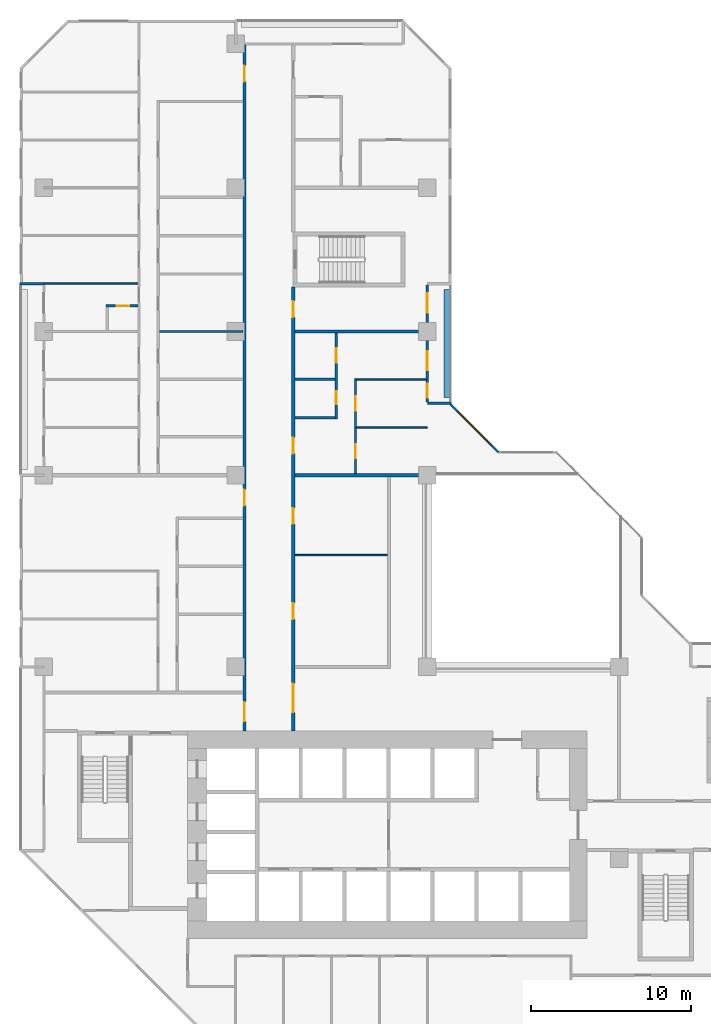
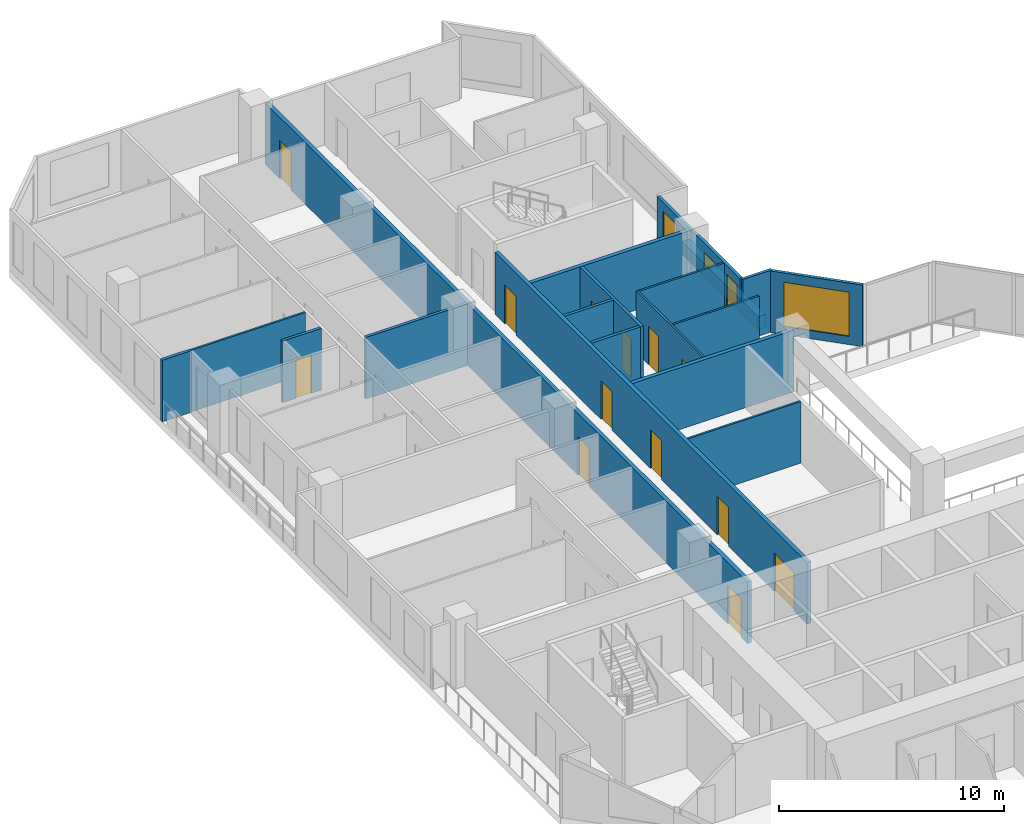
# One storey, part 9 of 15: 19 walls, 13 doors, 4 windows, 17 openings.
"""IFC4 building model written with IfcOpenShell, lengths in metres."""

from ifc_helpers import new_model, si_unit, direction, frame, frame_2d, origin, place, context, subcontext, project, spatial, rectangle, extrude, material, layer, layer_set, type_object, element, fill, save


model = new_model("IFC4")

# Units and contexts
model_context = context("Model", 3, precision=1e-05, world=origin(), true_north=direction((0.0, 1.0)))
body_context = subcontext(model_context, "Body", "Model", "MODEL_VIEW")
ifc_project = project(units=[si_unit("LENGTHUNIT", "METRE"), si_unit("AREAUNIT", "SQUARE_METRE"), si_unit("VOLUMEUNIT", "CUBIC_METRE"), si_unit("PLANEANGLEUNIT", "RADIAN"), si_unit("MASSUNIT", "GRAM", prefix="KILO")], contexts=[model_context])

# Site, building, storey
site_placement = place(None, origin())
site = spatial("IfcSite", under=ifc_project, at=site_placement, CompositionType="ELEMENT")
building_placement = place(site_placement, origin())
building = spatial("IfcBuilding", under=site, at=building_placement, Name="Chenar Terraces", CompositionType="ELEMENT")
storey_placement = place(building_placement, frame((0.0, 0.0, 60.14990234375)))
storey = spatial("IfcBuildingStorey", under=building, at=storey_placement, Name="L12", CompositionType="ELEMENT", Elevation=60.14990234375)

# Wall, openings, doors
ifc_material_1 = material(Name="Gypsum board on steel studs with fire boards", Category="steel")
ifc_layer_1 = layer(ifc_material_1, 0.199951171875)
ifc_layer_set_1 = layer_set([ifc_layer_1], Name="Gypsum board on steel studs with fire boards")
wall_type_1 = type_object("IfcWallType", Name="Corridor wall 200", PredefinedType="PARTITIONING", material=ifc_layer_set_1)
wall_1_placement = place(storey_placement, frame((12.550048828125, 20.0, 0.0), z_axis=(0.0, 0.0, 1.0), x_axis=(0.0, 1.0, 0.0)))
wall_1 = element("IfcWall", 1, at=wall_1_placement, inside=storey, type_object=wall_type_1, Name="Partition L12-035", PredefinedType="PARTITIONING", context=body_context, shape_type="SweptSolid", body=[
    extrude(rectangle(XDim=42.926025390625, YDim=0.199951171875, at=frame_2d((21.462890625, 0.0))), origin(), (0.0, 0.0, 1.0), 3.35009765625),
])
opening_1_placement = place(wall_1_placement, frame((40.64990234375, 0.0, 0.0)))
opening_1 = element("IfcOpeningElement", 2, at=opening_1_placement, cuts=wall_1, Name="Opening DL12-38", PredefinedType="OPENING", context=body_context, shape_type="SweptSolid", body=[
    extrude(rectangle(XDim=1.0, YDim=2.10009765625, at=frame_2d((0.5, 1.050048828125))), frame((0.0, 0.10986328125, 0.0), z_axis=(0.0, -1.0, 0.0), x_axis=(1.0, 0.0, 0.0)), (0.0, 0.0, 1.0), 0.219970703125),
])
opening_2_placement = place(wall_1_placement, frame((0.60009765625, 0.0, 0.0)))
opening_2 = element("IfcOpeningElement", 3, at=opening_2_placement, cuts=wall_1, Name="Opening DL12-52", PredefinedType="OPENING", context=body_context, shape_type="SweptSolid", body=[
    extrude(rectangle(XDim=1.199951171875, YDim=2.10009765625, at=frame_2d((0.60009765625, 1.050048828125))), frame((0.0, 0.10986328125, 0.0), z_axis=(0.0, -1.0, 0.0), x_axis=(1.0, 0.0, 0.0)), (0.0, 0.0, 1.0), 0.219970703125),
])
opening_3_placement = place(wall_1_placement, frame((14.10009765625, 0.0, 0.0)))
opening_3 = element("IfcOpeningElement", 4, at=opening_3_placement, cuts=wall_1, Name="Opening DL12-73", PredefinedType="OPENING", context=body_context, shape_type="SweptSolid", body=[
    extrude(rectangle(XDim=1.0, YDim=2.10009765625, at=frame_2d((0.5, 1.050048828125))), frame((0.0, 0.10986328125, 0.0), z_axis=(0.0, -1.0, 0.0), x_axis=(1.0, 0.0, 0.0)), (0.0, 0.0, 1.0), 0.219970703125),
])
ifc_material_2 = material(Name="Steel-framed fire-resisting door leaf", Category="steel")
door_type_1 = type_object("IfcDoorType", Name="Fire door FD30S 1000 x 2100", OperationType="SINGLE_SWING_LEFT", PredefinedType="DOOR", material=ifc_material_2)
door_1_placement = place(opening_1_placement, origin())
door_1 = element("IfcDoor", 5, at=door_1_placement, inside=storey, type_object=door_type_1, Name="Door DL12-38", OperationType="SINGLE_SWING_RIGHT", OverallHeight=2.10009765625, OverallWidth=1.0, PredefinedType="DOOR", context=body_context, shape_type="SweptSolid", body=[
    extrude(rectangle(XDim=1.0, YDim=2.10009765625, at=frame_2d((0.5, 1.050048828125))), frame((0.0, 0.02490234375, 0.0), z_axis=(0.0, -1.0, 0.0), x_axis=(1.0, 0.0, 0.0)), (0.0, 0.0, 1.0), 0.050048828125),
])
fill(opening_1, door_1)
door_2_placement = place(opening_3_placement, origin())
door_2 = element("IfcDoor", 6, at=door_2_placement, inside=storey, type_object=door_type_1, Name="Door DL12-73", OperationType="SINGLE_SWING_RIGHT", OverallHeight=2.10009765625, OverallWidth=1.0, PredefinedType="DOOR", context=body_context, shape_type="SweptSolid", body=[
    extrude(rectangle(XDim=1.0, YDim=2.10009765625, at=frame_2d((0.5, 1.050048828125))), frame((0.0, 0.02490234375, 0.0), z_axis=(0.0, -1.0, 0.0), x_axis=(1.0, 0.0, 0.0)), (0.0, 0.0, 1.0), 0.050048828125),
])
fill(opening_3, door_2)
ifc_material_3 = material(Name="Steel-framed fire-resisting door leaf", Category="steel")
door_type_2 = type_object("IfcDoorType", Name="Fire door FD30S 1200 x 2100", OperationType="SINGLE_SWING_LEFT", PredefinedType="DOOR", material=ifc_material_3)
door_3_placement = place(opening_2_placement, origin())
door_3 = element("IfcDoor", 7, at=door_3_placement, inside=storey, type_object=door_type_2, Name="Door DL12-52", OperationType="SINGLE_SWING_RIGHT", OverallHeight=2.10009765625, OverallWidth=1.199951171875, PredefinedType="DOOR", context=body_context, shape_type="SweptSolid", body=[
    extrude(rectangle(XDim=1.199951171875, YDim=2.10009765625, at=frame_2d((0.60009765625, 1.050048828125))), frame((0.0, 0.02490234375, 0.0), z_axis=(0.0, -1.0, 0.0), x_axis=(1.0, 0.0, 0.0)), (0.0, 0.0, 1.0), 0.050048828125),
])
fill(opening_2, door_3)

wall_2_placement = place(storey_placement, frame((15.60009765625, 20.0, 0.0), z_axis=(0.0, 0.0, 1.0), x_axis=(0.0, 1.0, 0.0)))
wall_2 = element("IfcWall", 8, at=wall_2_placement, inside=storey, type_object=wall_type_1, Name="Partition L12-037", PredefinedType="PARTITIONING", context=body_context, shape_type="SweptSolid", body=[
    extrude(rectangle(XDim=27.77490234375, YDim=0.199951171875, at=frame_2d((13.887451171875, 0.0))), origin(), (0.0, 0.0, 1.0), 3.35009765625),
])
opening_4_placement = place(wall_2_placement, frame((7.0, 0.0, 0.0)))
opening_4 = element("IfcOpeningElement", 9, at=opening_4_placement, cuts=wall_2, Name="Opening DL12-1", PredefinedType="OPENING", context=body_context, shape_type="SweptSolid", body=[
    extrude(rectangle(XDim=1.0, YDim=2.10009765625, at=frame_2d((0.5, 1.050048828125))), frame((0.0, 0.10986328125, 0.0), z_axis=(0.0, -1.0, 0.0), x_axis=(1.0, 0.0, 0.0)), (0.0, 0.0, 1.0), 0.219970703125),
])
opening_5_placement = place(wall_2_placement, frame((12.949951171875, 0.0, 0.0)))
opening_5 = element("IfcOpeningElement", 10, at=opening_5_placement, cuts=wall_2, Name="Opening DL12-2", PredefinedType="OPENING", context=body_context, shape_type="SweptSolid", body=[
    extrude(rectangle(XDim=1.0, YDim=2.10009765625, at=frame_2d((0.5, 1.050048828125))), frame((0.0, 0.10986328125, 0.0), z_axis=(0.0, -1.0, 0.0), x_axis=(1.0, 0.0, 0.0)), (0.0, 0.0, 1.0), 0.219970703125),
])
opening_6_placement = place(wall_2_placement, frame((17.35009765625, 0.0, 0.0)))
opening_6 = element("IfcOpeningElement", 11, at=opening_6_placement, cuts=wall_2, Name="Opening DL12-27", PredefinedType="OPENING", context=body_context, shape_type="SweptSolid", body=[
    extrude(rectangle(XDim=1.0, YDim=2.10009765625, at=frame_2d((0.5, 1.050048828125))), frame((0.0, 0.10986328125, 0.0), z_axis=(0.0, -1.0, 0.0), x_axis=(1.0, 0.0, 0.0)), (0.0, 0.0, 1.0), 0.219970703125),
])
opening_7_placement = place(wall_2_placement, frame((1.14990234375, 0.0, 0.0)))
opening_7 = element("IfcOpeningElement", 12, at=opening_7_placement, cuts=wall_2, Name="Opening DL12-51", PredefinedType="OPENING", context=body_context, shape_type="SweptSolid", body=[
    extrude(rectangle(XDim=1.800048828125, YDim=2.10009765625, at=frame_2d((0.89990234375, 1.050048828125))), frame((0.0, 0.10986328125, 0.0), z_axis=(0.0, -1.0, 0.0), x_axis=(1.0, 0.0, 0.0)), (0.0, 0.0, 1.0), 0.219970703125),
])
opening_8_placement = place(wall_2_placement, frame((25.89990234375, 0.0, 0.0)))
opening_8 = element("IfcOpeningElement", 13, at=opening_8_placement, cuts=wall_2, Name="Opening DL12-54", PredefinedType="OPENING", context=body_context, shape_type="SweptSolid", body=[
    extrude(rectangle(XDim=1.0, YDim=2.10009765625, at=frame_2d((0.5, 1.050048828125))), frame((0.0, 0.10986328125, 0.0), z_axis=(0.0, -1.0, 0.0), x_axis=(1.0, 0.0, 0.0)), (0.0, 0.0, 1.0), 0.219970703125),
])
ifc_material_4 = material(Name="Steel-framed fire-resisting door leaf", Category="steel")
door_type_3 = type_object("IfcDoorType", Name="Fire door FD60 1000 x 2100", OperationType="SINGLE_SWING_LEFT", PredefinedType="DOOR", material=ifc_material_4)
door_4_placement = place(opening_4_placement, frame((1.0, 0.0, 0.0), z_axis=(0.0, 0.0, 1.0), x_axis=(-1.0, 0.0, 0.0)))
door_4 = element("IfcDoor", 14, at=door_4_placement, inside=storey, type_object=door_type_3, Name="Door DL12-1", OperationType="SINGLE_SWING_LEFT", OverallHeight=2.10009765625, OverallWidth=1.0, PredefinedType="DOOR", context=body_context, shape_type="SweptSolid", body=[
    extrude(rectangle(XDim=1.0, YDim=2.10009765625, at=frame_2d((0.5, 1.050048828125))), frame((0.0, 0.02490234375, 0.0), z_axis=(0.0, -1.0, 0.0), x_axis=(1.0, 0.0, 0.0)), (0.0, 0.0, 1.0), 0.050048828125),
])
fill(opening_4, door_4)
door_5_placement = place(opening_5_placement, frame((1.0, 0.0, 0.0), z_axis=(0.0, 0.0, 1.0), x_axis=(-1.0, 0.0, 0.0)))
door_5 = element("IfcDoor", 15, at=door_5_placement, inside=storey, type_object=door_type_3, Name="Door DL12-2", OperationType="SINGLE_SWING_LEFT", OverallHeight=2.10009765625, OverallWidth=1.0, PredefinedType="DOOR", context=body_context, shape_type="SweptSolid", body=[
    extrude(rectangle(XDim=1.0, YDim=2.10009765625, at=frame_2d((0.5, 1.050048828125))), frame((0.0, 0.02490234375, 0.0), z_axis=(0.0, -1.0, 0.0), x_axis=(1.0, 0.0, 0.0)), (0.0, 0.0, 1.0), 0.050048828125),
])
fill(opening_5, door_5)
door_6_placement = place(opening_6_placement, frame((1.0, 0.0, 0.0), z_axis=(0.0, 0.0, 1.0), x_axis=(-1.0, 0.0, 0.0)))
door_6 = element("IfcDoor", 16, at=door_6_placement, inside=storey, type_object=door_type_3, Name="Door DL12-27", OperationType="SINGLE_SWING_LEFT", OverallHeight=2.10009765625, OverallWidth=1.0, PredefinedType="DOOR", context=body_context, shape_type="SweptSolid", body=[
    extrude(rectangle(XDim=1.0, YDim=2.10009765625, at=frame_2d((0.5, 1.050048828125))), frame((0.0, 0.02490234375, 0.0), z_axis=(0.0, -1.0, 0.0), x_axis=(1.0, 0.0, 0.0)), (0.0, 0.0, 1.0), 0.050048828125),
])
fill(opening_6, door_6)
door_7_placement = place(opening_8_placement, frame((1.0, 0.0, 0.0), z_axis=(0.0, 0.0, 1.0), x_axis=(-1.0, 0.0, 0.0)))
door_7 = element("IfcDoor", 17, at=door_7_placement, inside=storey, type_object=door_type_3, Name="Door DL12-54", OperationType="SINGLE_SWING_RIGHT", OverallHeight=2.10009765625, OverallWidth=1.0, PredefinedType="DOOR", context=body_context, shape_type="SweptSolid", body=[
    extrude(rectangle(XDim=1.0, YDim=2.10009765625, at=frame_2d((0.5, 1.050048828125))), frame((0.0, 0.02490234375, 0.0), z_axis=(0.0, -1.0, 0.0), x_axis=(1.0, 0.0, 0.0)), (0.0, 0.0, 1.0), 0.050048828125),
])
fill(opening_8, door_7)
ifc_material_5 = material(Name="Steel-framed fire-resisting door leaf", Category="steel")
door_type_4 = type_object("IfcDoorType", Name="Fire double door FD60 1800 x 2100", OperationType="DOUBLE_DOOR_SINGLE_SWING", PredefinedType="DOOR", material=ifc_material_5)
door_8_placement = place(opening_7_placement, frame((1.800048828125, 0.0, 0.0), z_axis=(0.0, 0.0, 1.0), x_axis=(-1.0, 0.0, 0.0)))
door_8 = element("IfcDoor", 18, at=door_8_placement, inside=storey, type_object=door_type_4, Name="Door DL12-51", OperationType="DOUBLE_DOOR_SINGLE_SWING", OverallHeight=2.10009765625, OverallWidth=1.800048828125, PredefinedType="DOOR", context=body_context, shape_type="SweptSolid", body=[
    extrude(rectangle(XDim=1.800048828125, YDim=2.10009765625, at=frame_2d((0.89990234375, 1.050048828125))), frame((0.0, 0.02490234375, 0.0), z_axis=(0.0, -1.0, 0.0), x_axis=(1.0, 0.0, 0.0)), (0.0, 0.0, 1.0), 0.050048828125),
])
fill(opening_7, door_8)

# Wall, openings, windows
ifc_material_6 = material(Name="Aluminium framed glazing", Category="aluminium")
ifc_layer_2 = layer(ifc_material_6, 0.14990234375)
ifc_layer_set_2 = layer_set([ifc_layer_2], Name="Aluminium framed glazing")
wall_type_2 = type_object("IfcWallType", Name="Glazed loggia back wall 150", PredefinedType="SOLIDWALL", material=ifc_layer_set_2)
wall_3_placement = place(storey_placement, frame((24.0, 40.574951171875, 0.0), z_axis=(0.0, 0.0, 1.0), x_axis=(0.0, 1.0, 0.0)))
wall_3 = element("IfcWall", 19, at=wall_3_placement, inside=storey, type_object=wall_type_2, Name="Glazed loggia back wall", PredefinedType="SOLIDWALL", context=body_context, shape_type="SweptSolid", body=[
    extrude(rectangle(XDim=7.35009765625, YDim=0.14990234375, at=frame_2d((3.675048828125, 0.0))), origin(), (0.0, 0.0, 1.0), 3.35009765625),
])
opening_9_placement = place(wall_3_placement, frame((0.262451171875, 0.0, 0.449951171875)))
opening_9 = element("IfcOpeningElement", 20, at=opening_9_placement, cuts=wall_3, Name="Opening W90x240", PredefinedType="OPENING", context=body_context, shape_type="SweptSolid", body=[
    extrude(rectangle(XDim=0.89990234375, YDim=2.39990234375, at=frame_2d((0.449951171875, 1.199951171875))), frame((0.0, 0.0849609375, 0.0), z_axis=(0.0, -1.0, 0.0), x_axis=(1.0, 0.0, 0.0)), (0.0, 0.0, 1.0), 0.169921875),
])
opening_10_placement = place(wall_3_placement, frame((2.0, 0.0, 0.449951171875)))
opening_10 = element("IfcOpeningElement", 21, at=opening_10_placement, cuts=wall_3, Name="Opening W120x240", PredefinedType="OPENING", context=body_context, shape_type="SweptSolid", body=[
    extrude(rectangle(XDim=1.199951171875, YDim=2.39990234375, at=frame_2d((0.60009765625, 1.199951171875))), frame((0.0, 0.0849609375, 0.0), z_axis=(0.0, -1.0, 0.0), x_axis=(1.0, 0.0, 0.0)), (0.0, 0.0, 1.0), 0.169921875),
])
opening_11_placement = place(wall_3_placement, frame((5.612548828125, 0.0, 0.449951171875)))
opening_11 = element("IfcOpeningElement", 22, at=opening_11_placement, cuts=wall_3, Name="Opening W120x240", PredefinedType="OPENING", context=body_context, shape_type="SweptSolid", body=[
    extrude(rectangle(XDim=1.199951171875, YDim=2.39990234375, at=frame_2d((0.60009765625, 1.199951171875))), frame((0.0, 0.0849609375, 0.0), z_axis=(0.0, -1.0, 0.0), x_axis=(1.0, 0.0, 0.0)), (0.0, 0.0, 1.0), 0.169921875),
])
ifc_material_7 = material(Name="Low emissivity double glazing, aluminium frame", Category="aluminium")
window_type_1 = type_object("IfcWindowType", Name="Fixed light 1200 x 2400", PartitioningType="SINGLE_PANEL", PredefinedType="WINDOW", material=ifc_material_7)
window_1_placement = place(opening_10_placement, origin())
window_1 = element("IfcWindow", 23, at=window_1_placement, inside=storey, type_object=window_type_1, Name="Window", OverallHeight=2.39990234375, OverallWidth=1.199951171875, PartitioningType="SINGLE_PANEL", PredefinedType="WINDOW", context=body_context, shape_type="SweptSolid", body=[
    extrude(rectangle(XDim=1.199951171875, YDim=2.39990234375, at=frame_2d((0.60009765625, 1.199951171875))), frame((0.0, 0.030029296875, 0.0), z_axis=(0.0, -1.0, 0.0), x_axis=(1.0, 0.0, 0.0)), (0.0, 0.0, 1.0), 0.06005859375),
])
fill(opening_10, window_1)
window_2_placement = place(opening_11_placement, origin())
window_2 = element("IfcWindow", 24, at=window_2_placement, inside=storey, type_object=window_type_1, Name="Window", OverallHeight=2.39990234375, OverallWidth=1.199951171875, PartitioningType="SINGLE_PANEL", PredefinedType="WINDOW", context=body_context, shape_type="SweptSolid", body=[
    extrude(rectangle(XDim=1.199951171875, YDim=2.39990234375, at=frame_2d((0.60009765625, 1.199951171875))), frame((0.0, 0.030029296875, 0.0), z_axis=(0.0, -1.0, 0.0), x_axis=(1.0, 0.0, 0.0)), (0.0, 0.0, 1.0), 0.06005859375),
])
fill(opening_11, window_2)
ifc_material_8 = material(Name="Low emissivity double glazing, aluminium frame", Category="aluminium")
window_type_2 = type_object("IfcWindowType", Name="Fixed light 900 x 2400", PartitioningType="SINGLE_PANEL", PredefinedType="WINDOW", material=ifc_material_8)
window_3_placement = place(opening_9_placement, origin())
window_3 = element("IfcWindow", 25, at=window_3_placement, inside=storey, type_object=window_type_2, Name="Window", OverallHeight=2.39990234375, OverallWidth=0.89990234375, PartitioningType="SINGLE_PANEL", PredefinedType="WINDOW", context=body_context, shape_type="SweptSolid", body=[
    extrude(rectangle(XDim=0.89990234375, YDim=2.39990234375, at=frame_2d((0.449951171875, 1.199951171875))), frame((0.0, 0.030029296875, 0.0), z_axis=(0.0, -1.0, 0.0), x_axis=(1.0, 0.0, 0.0)), (0.0, 0.0, 1.0), 0.06005859375),
])
fill(opening_9, window_3)

# Walls
ifc_material_9 = material(Name="Gypsum board on steel studs", Category="steel")
ifc_layer_3 = layer(ifc_material_9, 0.10009765625)
ifc_layer_set_3 = layer_set([ifc_layer_3], Name="Gypsum board on steel studs")
wall_type_3 = type_object("IfcWallType", Name="Gypsum partition 100", PredefinedType="PARTITIONING", material=ifc_layer_set_3)
wall_4_placement = place(storey_placement, frame((0.0, 48.0, 0.0), z_axis=(0.0, 0.0, 1.0), x_axis=(1.0, 0.0, 0.0)))
element("IfcWall", 26, at=wall_4_placement, inside=storey, type_object=wall_type_3, Name="Partition L12-006", PredefinedType="PARTITIONING", context=body_context, shape_type="SweptSolid", body=[
    extrude(rectangle(XDim=5.875, YDim=0.10009765625, at=frame_2d((2.9375, 0.0))), origin(), (0.0, 0.0, 1.0), 3.35009765625),
])
wall_5_placement = place(storey_placement, frame((15.699951171875, 31.0, 0.0), z_axis=(0.0, 0.0, 1.0), x_axis=(1.0, 0.0, 0.0)))
element("IfcWall", 27, at=wall_5_placement, inside=storey, type_object=wall_type_3, Name="Partition L12-040", PredefinedType="PARTITIONING", context=body_context, shape_type="SweptSolid", body=[
    extrude(rectangle(XDim=5.800048828125, YDim=0.10009765625, at=frame_2d((2.89990234375, 0.0))), origin(), (0.0, 0.0, 1.0), 3.35009765625),
])

# Wall, openings, doors
wall_6_placement = place(storey_placement, frame((19.5, 36.10009765625, 0.0), z_axis=(0.0, 0.0, 1.0), x_axis=(0.0, 1.0, 0.0)))
wall_6 = element("IfcWall", 28, at=wall_6_placement, inside=storey, type_object=wall_type_3, Name="Partition L12-051", PredefinedType="PARTITIONING", context=body_context, shape_type="SweptSolid", body=[
    extrude(rectangle(XDim=5.949951171875, YDim=0.10009765625, at=frame_2d((2.97509765625, 0.0))), origin(), (0.0, 0.0, 1.0), 3.35009765625),
])
opening_12_placement = place(wall_6_placement, frame((0.949951171875, 0.0, 0.0)))
opening_12 = element("IfcOpeningElement", 29, at=opening_12_placement, cuts=wall_6, Name="Opening DL12-24", PredefinedType="OPENING", context=body_context, shape_type="SweptSolid", body=[
    extrude(rectangle(XDim=0.89990234375, YDim=2.10009765625, at=frame_2d((0.449951171875, 1.050048828125))), frame((0.0, 0.06005859375, 0.0), z_axis=(0.0, -1.0, 0.0), x_axis=(1.0, 0.0, 0.0)), (0.0, 0.0, 1.0), 0.1201171875),
])
opening_13_placement = place(wall_6_placement, frame((3.949951171875, 0.0, 0.0)))
opening_13 = element("IfcOpeningElement", 30, at=opening_13_placement, cuts=wall_6, Name="Opening DL12-25", PredefinedType="OPENING", context=body_context, shape_type="SweptSolid", body=[
    extrude(rectangle(XDim=0.89990234375, YDim=2.10009765625, at=frame_2d((0.449951171875, 1.050048828125))), frame((0.0, 0.06005859375, 0.0), z_axis=(0.0, -1.0, 0.0), x_axis=(1.0, 0.0, 0.0)), (0.0, 0.0, 1.0), 0.1201171875),
])
ifc_material_10 = material(Name="Veneered timber door leaf", Category="wood")
door_type_5 = type_object("IfcDoorType", Name="Door 900 x 2100", OperationType="SINGLE_SWING_LEFT", PredefinedType="DOOR", material=ifc_material_10)
door_9_placement = place(opening_12_placement, frame((0.89990234375, 0.0, 0.0), z_axis=(0.0, 0.0, 1.0), x_axis=(-1.0, 0.0, 0.0)))
door_9 = element("IfcDoor", 31, at=door_9_placement, inside=storey, type_object=door_type_5, Name="Door DL12-24", OperationType="SINGLE_SWING_LEFT", OverallHeight=2.10009765625, OverallWidth=0.89990234375, PredefinedType="DOOR", context=body_context, shape_type="SweptSolid", body=[
    extrude(rectangle(XDim=0.89990234375, YDim=2.10009765625, at=frame_2d((0.449951171875, 1.050048828125))), frame((0.0, 0.02490234375, 0.0), z_axis=(0.0, -1.0, 0.0), x_axis=(1.0, 0.0, 0.0)), (0.0, 0.0, 1.0), 0.050048828125),
])
fill(opening_12, door_9)
door_10_placement = place(opening_13_placement, frame((0.89990234375, 0.0, 0.0), z_axis=(0.0, 0.0, 1.0), x_axis=(-1.0, 0.0, 0.0)))
door_10 = element("IfcDoor", 32, at=door_10_placement, inside=storey, type_object=door_type_5, Name="Door DL12-25", OperationType="SINGLE_SWING_LEFT", OverallHeight=2.10009765625, OverallWidth=0.89990234375, PredefinedType="DOOR", context=body_context, shape_type="SweptSolid", body=[
    extrude(rectangle(XDim=0.89990234375, YDim=2.10009765625, at=frame_2d((0.449951171875, 1.050048828125))), frame((0.0, 0.02490234375, 0.0), z_axis=(0.0, -1.0, 0.0), x_axis=(1.0, 0.0, 0.0)), (0.0, 0.0, 1.0), 0.050048828125),
])
fill(opening_13, door_10)

# Walls
wall_7_placement = place(storey_placement, frame((19.550048828125, 39.0, 0.0), z_axis=(0.0, 0.0, 1.0), x_axis=(1.0, 0.0, 0.0)))
element("IfcWall", 33, at=wall_7_placement, inside=storey, type_object=wall_type_3, Name="Partition L12-052", PredefinedType="PARTITIONING", context=body_context, shape_type="SweptSolid", body=[
    extrude(rectangle(XDim=4.449951171875, YDim=0.10009765625, at=frame_2d((2.22509765625, 0.0))), origin(), (0.0, 0.0, 1.0), 3.35009765625),
])
wall_8_placement = place(storey_placement, frame((19.550048828125, 42.0, 0.0), z_axis=(0.0, 0.0, 1.0), x_axis=(1.0, 0.0, 0.0)))
element("IfcWall", 34, at=wall_8_placement, inside=storey, type_object=wall_type_3, Name="Partition L12-053", PredefinedType="PARTITIONING", context=body_context, shape_type="SweptSolid", body=[
    extrude(rectangle(XDim=4.3759765625, YDim=0.10009765625, at=frame_2d((2.18798828125, 0.0))), origin(), (0.0, 0.0, 1.0), 3.35009765625),
])
ifc_material_11 = material(Name="Terracotta cladding on insulated backing", Category="masonry")
ifc_layer_4 = layer(ifc_material_11, 0.14990234375)
ifc_layer_set_4 = layer_set([ifc_layer_4], Name="Terracotta cladding on insulated backing")
wall_type_4 = type_object("IfcWallType", Name="Loggia return wall 150", PredefinedType="SOLIDWALL", material=ifc_layer_set_4)
for number, where, z_axis, x_axis, name in (
    (35, (25.5, 40.5, 0.0), (0.0, 0.0, 1.0), (-1.0, 0.0, 0.0), "Loggia return wall"),
    (36, (-1.5, 48.0, 0.0), (0.0, 0.0, 1.0), (1.0, 0.0, 0.0), "Loggia return wall"),
):
    element("IfcWall", number, at=place(storey_placement, frame(where, z_axis=z_axis, x_axis=x_axis)), inside=storey, type_object=wall_type_4, Name=name, PredefinedType="SOLIDWALL", context=body_context, shape_type="SweptSolid", body=[
        extrude(rectangle(XDim=1.5, YDim=0.14990234375, at=frame_2d((0.75, 0.0))), origin(), (0.0, 0.0, 1.0), 3.35009765625),
    ])

# Wall, opening, window
ifc_material_12 = material(Name="Terracotta cladding on insulated backing", Category="masonry")
ifc_layer_5 = layer(ifc_material_12, 0.14990234375)
ifc_layer_set_5 = layer_set([ifc_layer_5], Name="Terracotta cladding on insulated backing")
wall_type_5 = type_object("IfcWallType", Name="Terracotta rainscreen wall 150", PredefinedType="SOLIDWALL", material=ifc_layer_set_5)
wall_9_placement = place(storey_placement, frame((28.447021484375, 37.447021484375, 0.0), z_axis=(0.0, 0.0, 1.0), x_axis=(-0.707106781187, 0.707106781187, 0.0)))
wall_9 = element("IfcWall", 37, at=wall_9_placement, inside=storey, type_object=wall_type_5, Name="Terracotta rainscreen wall", PredefinedType="SOLIDWALL", context=body_context, shape_type="SweptSolid", body=[
    extrude(rectangle(XDim=4.24267578125, YDim=0.14990234375, at=frame_2d((2.121337890625, 0.0))), origin(), (0.0, 0.0, 1.0), 3.35009765625),
])
opening_14_placement = place(wall_9_placement, frame((0.621337890625, 0.0, 0.449951171875)))
opening_14 = element("IfcOpeningElement", 38, at=opening_14_placement, cuts=wall_9, Name="Opening W300x240", PredefinedType="OPENING", context=body_context, shape_type="SweptSolid", body=[
    extrude(rectangle(XDim=3.0, YDim=2.39990234375, at=frame_2d((1.5, 1.199951171875))), frame((0.0, 0.0849609375, 0.0), z_axis=(0.0, -1.0, 0.0), x_axis=(1.0, 0.0, 0.0)), (0.0, 0.0, 1.0), 0.169921875),
])
ifc_material_13 = material(Name="Low emissivity double glazing, aluminium frame", Category="aluminium")
window_type_3 = type_object("IfcWindowType", Name="Fixed light 3000 x 2400", PartitioningType="SINGLE_PANEL", PredefinedType="WINDOW", material=ifc_material_13)
window_4_placement = place(opening_14_placement, origin())
window_4 = element("IfcWindow", 39, at=window_4_placement, inside=storey, type_object=window_type_3, Name="Window", OverallHeight=2.39990234375, OverallWidth=3.0, PartitioningType="SINGLE_PANEL", PredefinedType="WINDOW", context=body_context, shape_type="SweptSolid", body=[
    extrude(rectangle(XDim=3.0, YDim=2.39990234375, at=frame_2d((1.5, 1.199951171875))), frame((0.0, 0.030029296875, 0.0), z_axis=(0.0, -1.0, 0.0), x_axis=(1.0, 0.0, 0.0)), (0.0, 0.0, 1.0), 0.06005859375),
])
fill(opening_14, window_4)

# Walls
ifc_material_14 = material(Name="Twin gypsum board on steel studs with mineral wool", Category="steel")
ifc_layer_6 = layer(ifc_material_14, 0.199951171875)
ifc_layer_set_6 = layer_set([ifc_layer_6], Name="Twin gypsum board on steel studs with mineral wool")
wall_type_6 = type_object("IfcWallType", Name="Unit demising wall 200", PredefinedType="PARTITIONING", material=ifc_layer_set_6)
wall_10_placement = place(storey_placement, frame((15.699951171875, 36.0, 0.0), z_axis=(0.0, 0.0, 1.0), x_axis=(1.0, 0.0, 0.0)))
element("IfcWall", 40, at=wall_10_placement, inside=storey, type_object=wall_type_6, Name="Partition L12-041", PredefinedType="PARTITIONING", context=body_context, shape_type="SweptSolid", body=[
    extrude(rectangle(XDim=8.300048828125, YDim=0.199951171875, at=frame_2d((4.14990234375, 0.0))), origin(), (0.0, 0.0, 1.0), 3.35009765625),
])
wall_11_placement = place(storey_placement, frame((15.699951171875, 45.0, 0.0), z_axis=(0.0, 0.0, 1.0), x_axis=(1.0, 0.0, 0.0)))
element("IfcWall", 41, at=wall_11_placement, inside=storey, type_object=wall_type_6, Name="Partition L12-044", PredefinedType="PARTITIONING", context=body_context, shape_type="SweptSolid", body=[
    extrude(rectangle(XDim=8.22607421875, YDim=0.199951171875, at=frame_2d((4.113037109375, 0.0))), origin(), (0.0, 0.0, 1.0), 3.35009765625),
])
ifc_material_15 = material(Name="GRP planter trough")
ifc_layer_7 = layer(ifc_material_15, 0.39990234375)
ifc_layer_set_7 = layer_set([ifc_layer_7], Name="GRP planter trough")
wall_type_7 = type_object("IfcWallType", Name="Vertical greenery planter 400", PredefinedType="SOLIDWALL", material=ifc_layer_set_7)
wall_12_placement = place(storey_placement, frame((25.22900390625, 40.875, 0.0), z_axis=(0.0, 0.0, 1.0), x_axis=(0.0, 1.0, 0.0)))
element("IfcWall", 42, at=wall_12_placement, inside=storey, type_object=wall_type_7, Name="Vertical greenery planter", PredefinedType="SOLIDWALL", context=body_context, shape_type="SweptSolid", body=[
    extrude(rectangle(XDim=6.75, YDim=0.39990234375, at=frame_2d((3.375, 0.0))), origin(), (0.0, 0.0, 1.0), 0.7001953125),
])

# Wall, opening, door
ifc_material_16 = material(Name="Moisture-resistant gypsum board on steel studs", Category="steel")
ifc_layer_8 = layer(ifc_material_16, 0.14990234375)
ifc_layer_set_8 = layer_set([ifc_layer_8], Name="Moisture-resistant gypsum board on steel studs")
wall_type_8 = type_object("IfcWallType", Name="Wet-room partition 150", PredefinedType="PARTITIONING", material=ifc_layer_set_8)
wall_13_placement = place(storey_placement, frame((3.875, 46.60009765625, 0.0), z_axis=(0.0, 0.0, 1.0), x_axis=(1.0, 0.0, 0.0)))
wall_13 = element("IfcWall", 43, at=wall_13_placement, inside=storey, type_object=wall_type_8, Name="Partition L12-015", PredefinedType="PARTITIONING", context=body_context, shape_type="SweptSolid", body=[
    extrude(rectangle(XDim=2.0, YDim=0.14990234375, at=frame_2d((1.0, 0.0))), origin(), (0.0, 0.0, 1.0), 3.35009765625),
])
opening_15_placement = place(wall_13_placement, frame((0.675048828125, 0.0, 0.0)))
opening_15 = element("IfcOpeningElement", 44, at=opening_15_placement, cuts=wall_13, Name="Opening DL12-45", PredefinedType="OPENING", context=body_context, shape_type="SweptSolid", body=[
    extrude(rectangle(XDim=0.800048828125, YDim=2.10009765625, at=frame_2d((0.39990234375, 1.050048828125))), frame((0.0, 0.0849609375, 0.0), z_axis=(0.0, -1.0, 0.0), x_axis=(1.0, 0.0, 0.0)), (0.0, 0.0, 1.0), 0.169921875),
])
ifc_material_17 = material(Name="Veneered timber door leaf", Category="wood")
door_type_6 = type_object("IfcDoorType", Name="Door 800 x 2100", OperationType="SINGLE_SWING_LEFT", PredefinedType="DOOR", material=ifc_material_17)
door_11_placement = place(opening_15_placement, frame((0.800048828125, 0.0, 0.0), z_axis=(0.0, 0.0, 1.0), x_axis=(-1.0, 0.0, 0.0)))
door_11 = element("IfcDoor", 45, at=door_11_placement, inside=storey, type_object=door_type_6, Name="Door DL12-45", OperationType="SINGLE_SWING_RIGHT", OverallHeight=2.10009765625, OverallWidth=0.800048828125, PredefinedType="DOOR", context=body_context, shape_type="SweptSolid", body=[
    extrude(rectangle(XDim=0.800048828125, YDim=2.10009765625, at=frame_2d((0.39990234375, 1.050048828125))), frame((0.0, 0.02490234375, 0.0), z_axis=(0.0, -1.0, 0.0), x_axis=(1.0, 0.0, 0.0)), (0.0, 0.0, 1.0), 0.050048828125),
])
fill(opening_15, door_11)

# Walls
wall_14_placement = place(storey_placement, frame((7.22509765625, 45.0, 0.0), z_axis=(0.0, 0.0, 1.0), x_axis=(1.0, 0.0, 0.0)))
element("IfcWall", 46, at=wall_14_placement, inside=storey, type_object=wall_type_8, Name="Partition L12-022", PredefinedType="PARTITIONING", context=body_context, shape_type="SweptSolid", body=[
    extrude(rectangle(XDim=5.224853515625, YDim=0.14990234375, at=frame_2d((2.6123046875, 0.0))), origin(), (0.0, 0.0, 1.0), 3.35009765625),
])
for number, where, z_axis, x_axis, name in (
    (47, (15.699951171875, 39.60009765625, 0.0), (0.0, 0.0, 1.0), (1.0, 0.0, 0.0), "Partition L12-042"),
    (48, (15.699951171875, 42.0, 0.0), (0.0, 0.0, 1.0), (1.0, 0.0, 0.0), "Partition L12-043"),
):
    element("IfcWall", number, at=place(storey_placement, frame(where, z_axis=z_axis, x_axis=x_axis)), inside=storey, type_object=wall_type_8, Name=name, PredefinedType="PARTITIONING", context=body_context, shape_type="SweptSolid", body=[
        extrude(rectangle(XDim=2.525146484375, YDim=0.14990234375, at=frame_2d((1.2626953125, 0.0))), origin(), (0.0, 0.0, 1.0), 3.35009765625),
    ])

# Wall, openings, doors
wall_15_placement = place(storey_placement, frame((18.300048828125, 39.52490234375, 0.0), z_axis=(0.0, 0.0, 1.0), x_axis=(0.0, 1.0, 0.0)))
wall_15 = element("IfcWall", 49, at=wall_15_placement, inside=storey, type_object=wall_type_8, Name="Partition L12-049", PredefinedType="PARTITIONING", context=body_context, shape_type="SweptSolid", body=[
    extrude(rectangle(XDim=5.375, YDim=0.14990234375, at=frame_2d((2.6875, 0.0))), origin(), (0.0, 0.0, 1.0), 3.35009765625),
])
opening_16_placement = place(wall_15_placement, frame((0.925048828125, 0.0, 0.0)))
opening_16 = element("IfcOpeningElement", 50, at=opening_16_placement, cuts=wall_15, Name="Opening DL12-23", PredefinedType="OPENING", context=body_context, shape_type="SweptSolid", body=[
    extrude(rectangle(XDim=0.800048828125, YDim=2.10009765625, at=frame_2d((0.39990234375, 1.050048828125))), frame((0.0, 0.0849609375, 0.0), z_axis=(0.0, -1.0, 0.0), x_axis=(1.0, 0.0, 0.0)), (0.0, 0.0, 1.0), 0.169921875),
])
opening_17_placement = place(wall_15_placement, frame((3.52490234375, 0.0, 0.0)))
opening_17 = element("IfcOpeningElement", 51, at=opening_17_placement, cuts=wall_15, Name="Opening DL12-26", PredefinedType="OPENING", context=body_context, shape_type="SweptSolid", body=[
    extrude(rectangle(XDim=0.89990234375, YDim=2.10009765625, at=frame_2d((0.449951171875, 1.050048828125))), frame((0.0, 0.0849609375, 0.0), z_axis=(0.0, -1.0, 0.0), x_axis=(1.0, 0.0, 0.0)), (0.0, 0.0, 1.0), 0.169921875),
])
door_12_placement = place(opening_16_placement, origin())
door_12 = element("IfcDoor", 52, at=door_12_placement, inside=storey, type_object=door_type_6, Name="Door DL12-23", OperationType="SINGLE_SWING_RIGHT", OverallHeight=2.10009765625, OverallWidth=0.800048828125, PredefinedType="DOOR", context=body_context, shape_type="SweptSolid", body=[
    extrude(rectangle(XDim=0.800048828125, YDim=2.10009765625, at=frame_2d((0.39990234375, 1.050048828125))), frame((0.0, 0.02490234375, 0.0), z_axis=(0.0, -1.0, 0.0), x_axis=(1.0, 0.0, 0.0)), (0.0, 0.0, 1.0), 0.050048828125),
])
fill(opening_16, door_12)
door_13_placement = place(opening_17_placement, origin())
door_13 = element("IfcDoor", 53, at=door_13_placement, inside=storey, type_object=door_type_5, Name="Door DL12-26", OperationType="SINGLE_SWING_LEFT", OverallHeight=2.10009765625, OverallWidth=0.89990234375, PredefinedType="DOOR", context=body_context, shape_type="SweptSolid", body=[
    extrude(rectangle(XDim=0.89990234375, YDim=2.10009765625, at=frame_2d((0.449951171875, 1.050048828125))), frame((0.0, 0.02490234375, 0.0), z_axis=(0.0, -1.0, 0.0), x_axis=(1.0, 0.0, 0.0)), (0.0, 0.0, 1.0), 0.050048828125),
])
fill(opening_17, door_13)

save(model, "model.ifc")
